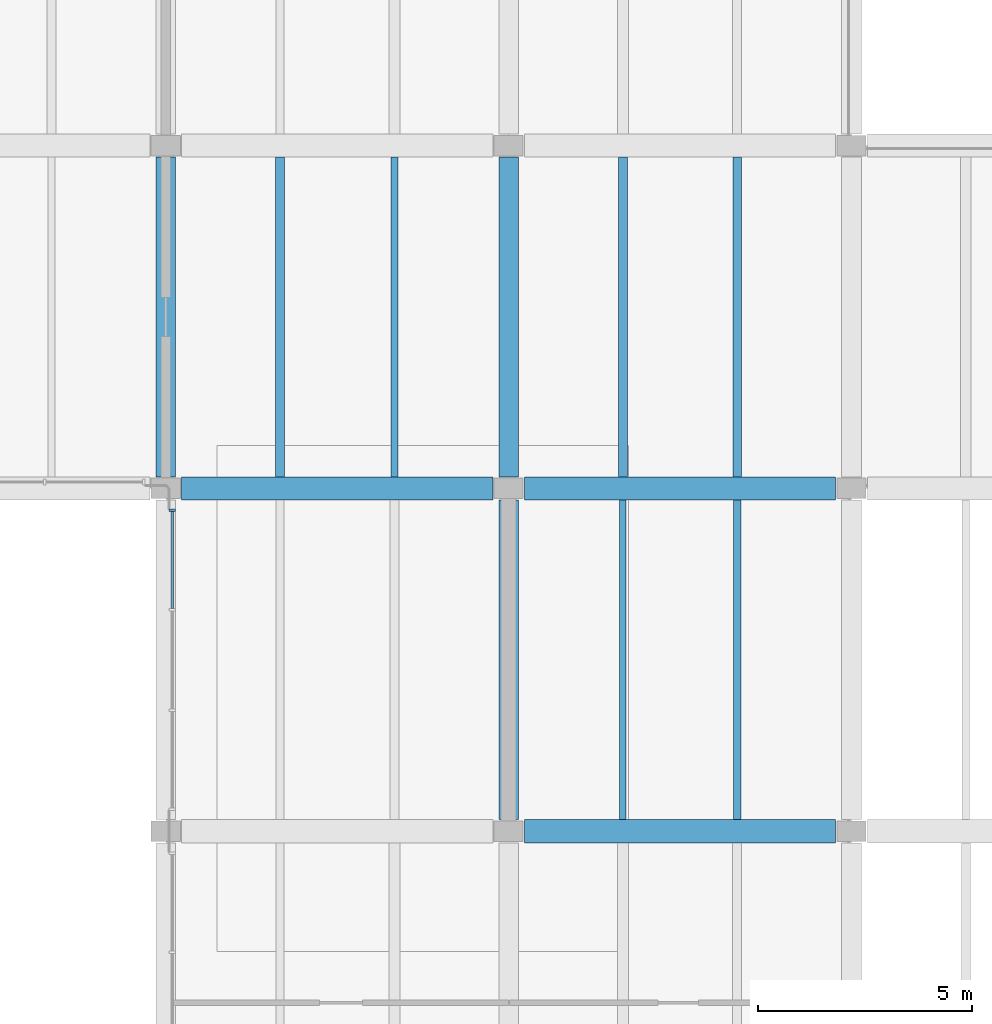
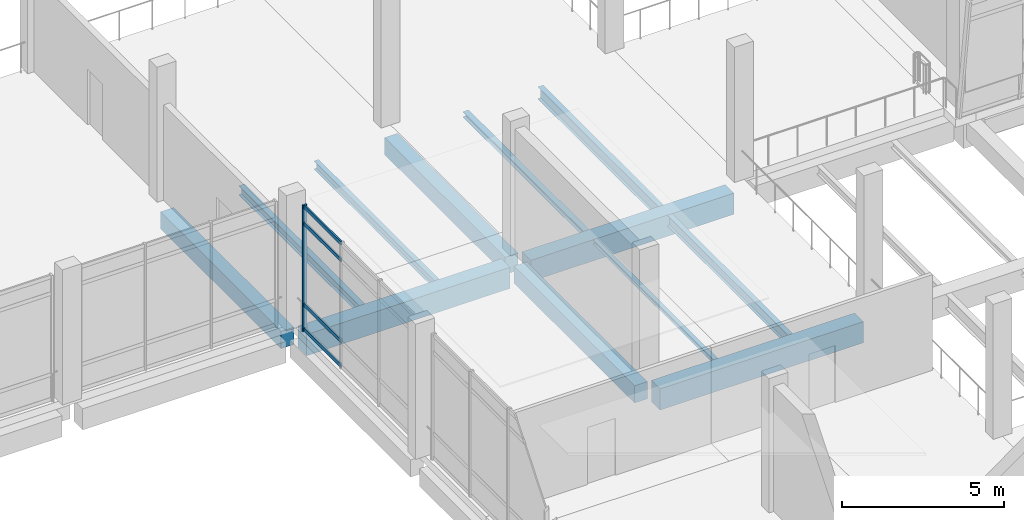
# One storey, part 11 of 61: 12 beams, 5 members, 1 element without a shape of its own.
"""IFC4 building model written with IfcOpenShell, lengths in metres."""

import ifcopenshell
import ifcopenshell.guid

model = None  # the IFC model being written
_history = None  # IfcOwnerHistory: only IFC2X3 demands one
_inside = {}  # id of a spatial element -> (the spatial element, [elements in it])
_under = {}  # id of a project, library or spatial element -> (it, [spatial elements below it])
_declared = {}  # id of a project -> (the project, [libraries it declares])
_typed = {}  # id of a type object -> (the type object, [elements of that type])
_made_of = {}  # id of a material, layer set ... -> (it, [elements and type objects made of it])


def new_model(schema):
    """Start an empty IFC model of exactly this schema.

    Asked for "IFC4X3", IfcOpenShell would pick the latest addendum, in which some entities
    have other attributes; the version numbers below select the first issue.
    IFC2X3 requires an IfcOwnerHistory on every rooted entity: one is made here for all.
    """
    global model, _history
    if schema == "IFC4X3":
        model = ifcopenshell.file(schema_version=(4, 3, 0, 0))
    else:
        model = ifcopenshell.file(schema=schema)
    _inside.clear()
    _under.clear()
    _declared.clear()
    _typed.clear()
    _made_of.clear()
    _history = None
    if model.schema == "IFC2X3":
        org = make("IfcOrganization", Name="unknown")
        user = make(
            "IfcPersonAndOrganization",
            ThePerson=make("IfcPerson", FamilyName="unknown"),
            TheOrganization=org,
        )
        app = make(
            "IfcApplication",
            ApplicationDeveloper=org,
            Version="unknown",
            ApplicationFullName="unknown",
            ApplicationIdentifier="unknown",
        )
        _history = make(
            "IfcOwnerHistory",
            OwningUser=user,
            OwningApplication=app,
            ChangeAction="ADDED",
            CreationDate=0,
        )
    return model


def make(cls, **values):
    """One entity of the class cls with the attributes given. An attribute that is None is left unset."""
    return model.create_entity(
        cls, **{name: value for name, value in values.items() if value is not None}
    )


def rooted(cls, **values):
    """An entity with a GlobalId (a new one), such as an element, a storey or a relation."""
    return make(cls, GlobalId=ifcopenshell.guid.new(), OwnerHistory=_history, **values)


def si_unit(unit_type, name, prefix=None):
    """IfcSIUnit, for example si_unit("LENGTHUNIT", "METRE", prefix="MILLI")."""
    return make("IfcSIUnit", UnitType=unit_type, Prefix=prefix, Name=name)


def assignment(units):
    """IfcUnitAssignment: the units of a project."""
    return None if units is None else make("IfcUnitAssignment", Units=units)


def point(xyz):
    """IfcCartesianPoint."""
    return None if xyz is None else make("IfcCartesianPoint", Coordinates=xyz)


def direction(xyz):
    """IfcDirection."""
    return None if xyz is None else make("IfcDirection", DirectionRatios=xyz)


def frame(location, z_axis=None, x_axis=None):
    """IfcAxis2Placement3D, a coordinate frame: its origin and axes. An axis left out is left unset."""
    return make(
        "IfcAxis2Placement3D",
        Location=point(location),
        Axis=direction(z_axis),
        RefDirection=direction(x_axis),
    )


def frame_2d(location, x_axis=None):
    """IfcAxis2Placement2D, a coordinate frame in the plane: its origin and x axis."""
    return make(
        "IfcAxis2Placement2D", Location=point(location), RefDirection=direction(x_axis)
    )


def origin():
    """The frame at (0, 0, 0) with its axes left unset."""
    return frame((0.0, 0.0, 0.0))


def origin_2d():
    """The frame at (0, 0) in the plane with its x axis left unset."""
    return frame_2d((0.0, 0.0))


def place(relative_to, where):
    """IfcLocalPlacement: puts the frame where relative to a parent placement (None: the world)."""
    return make(
        "IfcLocalPlacement", PlacementRelTo=relative_to, RelativePlacement=where
    )


def context(
    kind, dimensions, precision=None, world=None, true_north=None, identifier=None
):
    """IfcGeometricRepresentationContext, for example the 3D "Model" context."""
    return make(
        "IfcGeometricRepresentationContext",
        ContextIdentifier=identifier,
        ContextType=kind,
        CoordinateSpaceDimension=dimensions,
        Precision=precision,
        WorldCoordinateSystem=world,
        TrueNorth=true_north,
    )


def subcontext(parent, identifier, kind, view, scale=None):
    """IfcGeometricRepresentationSubContext, for example "Body" below "Model"."""
    return make(
        "IfcGeometricRepresentationSubContext",
        ContextIdentifier=identifier,
        ContextType=kind,
        ParentContext=parent,
        TargetScale=scale,
        TargetView=view,
    )


def project(units=None, contexts=None):
    """IfcProject with its units and contexts."""
    return rooted(
        "IfcProject",
        Name="project",
        RepresentationContexts=contexts,
        UnitsInContext=assignment(units),
    )


def spatial(cls, under=None, at=None, **own):
    """A site, building, storey or space (cls), placed at a placement, below another one or the project."""
    s = rooted(cls, ObjectPlacement=at, **own)
    if under is not None:
        _under.setdefault(under.id(), (under, []))[1].append(s)
    return s


def profile(cls, at=None, kind="AREA", **sizes):
    """A parametric profile (cls). Its sizes go by their IFC names, for example OverallWidth=200.0."""
    return make(cls, ProfileType=kind, Position=at, **sizes)


def rectangle(**sizes):
    """IfcRectangleProfileDef."""
    return profile("IfcRectangleProfileDef", **sizes)


def i_section(**sizes):
    """IfcIShapeProfileDef."""
    return profile("IfcIShapeProfileDef", **sizes)


def extrude(swept, where, along, depth):
    """IfcExtrudedAreaSolid: the profile swept, set in the frame where, extruded along a direction by depth."""
    return make(
        "IfcExtrudedAreaSolid",
        SweptArea=swept,
        Position=where,
        ExtrudedDirection=direction(along),
        Depth=depth,
    )


def shape(context_of_items, identifier, shape_type, items):
    """IfcShapeRepresentation: the items that make up one representation, for example the "Body"."""
    return make(
        "IfcShapeRepresentation",
        ContextOfItems=context_of_items,
        RepresentationIdentifier=identifier,
        RepresentationType=shape_type,
        Items=items,
    )


def material(Name=None, Category=None):
    """IfcMaterial."""
    return make("IfcMaterial", Name=Name, Category=Category)


def material_profile(
    of_material, cross_section, Name=None, Category=None, Priority=None
):
    """IfcMaterialProfile: a cross section and its material."""
    return make(
        "IfcMaterialProfile",
        Name=Name,
        Material=of_material,
        Profile=cross_section,
        Priority=Priority,
        Category=Category,
    )


def profile_set(profiles, Name=None, composite=None):
    """IfcMaterialProfileSet."""
    return make(
        "IfcMaterialProfileSet",
        Name=Name,
        MaterialProfiles=profiles,
        CompositeProfile=composite,
    )


def made_of(thing, what):
    """Note that an element or type object is made of a material, layer set ...; save() writes the relation."""
    if what is not None:
        _made_of.setdefault(what.id(), (what, []))[1].append(thing)
    return thing


def type_object(cls, material=None, **own):
    """A type object (cls), such as IfcWallType, which elements share."""
    return made_of(rooted(cls, **own), material)


def element(
    cls,
    number,
    at=None,
    inside=None,
    cuts=None,
    type_object=None,
    material=None,
    context=None,
    identifier="Body",
    shape_type=None,
    held_by="IfcProductDefinitionShape",
    body=None,
    shapes=None,
    **own,
):
    """One element of the class cls, such as IfcWall. Its Tag is "e" and its number.

    at: its placement. inside: the storey or other place that contains it. cuts: it is an
    opening in that element (IfcRelVoidsElement). A single representation is given by context,
    identifier, shape_type and body (its items); several are given by shapes. held_by: the class
    of the entity that holds the representations. save() writes the other relations.
    """
    e = rooted(cls, Tag="e%d" % number, ObjectPlacement=at, **own)
    if body is not None:
        shapes = [shape(context, identifier, shape_type, body)]
    if shapes is not None:
        e.Representation = make(held_by, Representations=shapes)
    if inside is not None:
        _inside.setdefault(inside.id(), (inside, []))[1].append(e)
    if cuts is not None:
        rooted(
            "IfcRelVoidsElement", RelatingBuildingElement=cuts, RelatedOpeningElement=e
        )
    if type_object is not None:
        _typed.setdefault(type_object.id(), (type_object, []))[1].append(e)
    return made_of(e, material)


def aggregate(whole, parts):
    """IfcRelAggregates: a whole, such as a stair, and the parts it consists of."""
    return rooted("IfcRelAggregates", RelatingObject=whole, RelatedObjects=parts)


def save(model, path):
    """Write the relations noted so far, then the file.

    IfcRelAggregates (storeys below a building ...), IfcRelContainedInSpatialStructure (elements
    in a storey), IfcRelDefinesByType, IfcRelAssociatesMaterial and IfcRelDeclares: one each for
    every whole, place, type object, material and project.
    """
    for whole, parts in _under.values():
        aggregate(whole, parts)
    for where, things in _inside.values():
        rooted(
            "IfcRelContainedInSpatialStructure",
            RelatedElements=things,
            RelatingStructure=where,
        )
    for kind, things in _typed.values():
        rooted("IfcRelDefinesByType", RelatedObjects=things, RelatingType=kind)
    for what, things in _made_of.values():
        rooted("IfcRelAssociatesMaterial", RelatedObjects=things, RelatingMaterial=what)
    for by, libraries in _declared.values():
        rooted("IfcRelDeclares", RelatingContext=by, RelatedDefinitions=libraries)
    model.write(path)


model = new_model("IFC4")

# Units and contexts
model_context = context("Model", 3, precision=1e-05, world=origin(), true_north=direction((0.0, 1.0)))
body_context = subcontext(model_context, "Body", "Model", "MODEL_VIEW")
ifc_project = project(units=[si_unit("LENGTHUNIT", "METRE"), si_unit("AREAUNIT", "SQUARE_METRE"), si_unit("VOLUMEUNIT", "CUBIC_METRE"), si_unit("PLANEANGLEUNIT", "RADIAN"), si_unit("MASSUNIT", "GRAM", prefix="KILO")], contexts=[model_context])

# Site, building, storey
site_placement = place(None, origin())
site = spatial("IfcSite", under=ifc_project, at=site_placement, CompositionType="ELEMENT")
building_placement = place(site_placement, origin())
building = spatial("IfcBuilding", under=site, at=building_placement, Name="Pecanmere Concourse Central Library", CompositionType="ELEMENT")
storey_placement = place(building_placement, frame((0.0, 0.0, 5.39990234375)))
storey = spatial("IfcBuildingStorey", under=building, at=storey_placement, Name="L02", CompositionType="ELEMENT", Elevation=5.39990234375)

# Curtain wall, members
ifc_material_1 = material(Name="Clear anodized aluminium alloy 6063-T6", Category="aluminium")
curtain_wall_type = type_object("IfcCurtainWallType", Name="CW_CLOISTER_GLAZ", PredefinedType="USERDEFINED", material=ifc_material_1)
curtain_wall_placement = place(storey_placement, origin())
curtain_wall = element("IfcCurtainWall", 1, at=curtain_wall_placement, inside=storey, type_object=curtain_wall_type, Name="Unitised Curtain Wall CW-04 L02-120", ObjectType="UNITISED CURTAIN WALL", PredefinedType="USERDEFINED")
ifc_material_2 = material(Name="Clear anodized aluminium alloy 6063-T6", Category="aluminium")
ifc_material_profile_1 = material_profile(ifc_material_2, rectangle(XDim=0.06005859375, YDim=0.14990234375, at=origin_2d()), Name="AL 60x150")
ifc_profile_set_1 = profile_set([ifc_material_profile_1], Name="Clear anodized aluminium alloy 6063-T6")
member_type_1 = type_object("IfcMemberType", Name="CWM_150x60", PredefinedType="MULLION", material=ifc_profile_set_1)
member_1_placement = place(storey_placement, frame((48.14990234375, 89.489990234375, 0.0), z_axis=(0.0, 0.0, 1.0), x_axis=(0.0, -1.0, 0.0)))
member_1 = element("IfcMember", 2, at=member_1_placement, type_object=member_type_1, Name="CW-04 Mullion 1", PredefinedType="MULLION", context=body_context, shape_type="SweptSolid", body=[
    extrude(rectangle(XDim=0.06005859375, YDim=0.14990234375, at=origin_2d()), origin(), (0.0, 0.0, 1.0), 4.760009765625),
])
ifc_material_3 = material(Name="Clear anodized aluminium alloy 6063-T6", Category="aluminium")
ifc_material_profile_2 = material_profile(ifc_material_3, rectangle(XDim=0.054931640625, YDim=0.139892578125, at=origin_2d()), Name="AL 55x140")
ifc_profile_set_2 = profile_set([ifc_material_profile_2], Name="Clear anodized aluminium alloy 6063-T6")
member_type_2 = type_object("IfcMemberType", Name="CWT_140x55", PredefinedType="USERDEFINED", material=ifc_profile_set_2)
member_2_placement = place(storey_placement, frame((48.14990234375, 89.4599609375, 0.070068359375), z_axis=(0.0, -1.0, 0.0), x_axis=(1.0, 0.0, 0.0)))
member_2 = element("IfcMember", 3, at=member_2_placement, type_object=member_type_2, Name="CW-04 Transom 1.1", ObjectType="TRANSOM", PredefinedType="USERDEFINED", context=body_context, shape_type="SweptSolid", body=[
    extrude(rectangle(XDim=0.054931640625, YDim=0.139892578125, at=origin_2d()), origin(), (0.0, 0.0, 1.0), 2.256591796875),
])
member_3_placement = place(storey_placement, frame((48.14990234375, 89.4599609375, 1.0), z_axis=(0.0, -1.0, 0.0), x_axis=(1.0, 0.0, 0.0)))
member_3 = element("IfcMember", 4, at=member_3_placement, type_object=member_type_2, Name="CW-04 Transom 1.2", ObjectType="TRANSOM", PredefinedType="USERDEFINED", context=body_context, shape_type="SweptSolid", body=[
    extrude(rectangle(XDim=0.054931640625, YDim=0.139892578125, at=origin_2d()), origin(), (0.0, 0.0, 1.0), 2.256591796875),
])
member_4_placement = place(storey_placement, frame((48.14990234375, 89.4599609375, 4.06005859375), z_axis=(0.0, -1.0, 0.0), x_axis=(1.0, 0.0, 0.0)))
member_4 = element("IfcMember", 5, at=member_4_placement, type_object=member_type_2, Name="CW-04 Transom 1.3", ObjectType="TRANSOM", PredefinedType="USERDEFINED", context=body_context, shape_type="SweptSolid", body=[
    extrude(rectangle(XDim=0.054931640625, YDim=0.139892578125, at=origin_2d()), origin(), (0.0, 0.0, 1.0), 2.256591796875),
])
member_5_placement = place(storey_placement, frame((48.14990234375, 89.4599609375, 4.690185546875), z_axis=(0.0, -1.0, 0.0), x_axis=(1.0, 0.0, 0.0)))
member_5 = element("IfcMember", 6, at=member_5_placement, type_object=member_type_2, Name="CW-04 Transom 1.4", ObjectType="TRANSOM", PredefinedType="USERDEFINED", context=body_context, shape_type="SweptSolid", body=[
    extrude(rectangle(XDim=0.054931640625, YDim=0.139892578125, at=origin_2d()), origin(), (0.0, 0.0, 1.0), 2.256591796875),
])
aggregate(curtain_wall, [member_1, member_2, member_3, member_4, member_5])

# Beams
ifc_material_4 = material(Name="Concrete C40/50", Category="concrete")
ifc_material_profile_3 = material_profile(ifc_material_4, rectangle(XDim=0.4599609375, YDim=0.64990234375, at=origin_2d()), Name="RC 460x650")
ifc_profile_set_3 = profile_set([ifc_material_profile_3], Name="Concrete C40/50")
beam_type_1 = type_object("IfcBeamType", Name="GRD_460x650", PredefinedType="USERDEFINED", material=ifc_profile_set_3)
for number, where, z_axis, x_axis, name in (
    (7, (48.0, 90.27001953125, -0.69482421875), (0.0, 1.0, 0.0), (-1.0, 0.0, 0.0), "Primary Girder Y L02-1009"),
    (8, (56.0, 82.27001953125, -0.69482421875), (0.0, 1.0, 0.0), (-1.0, 0.0, 0.0), "Primary Girder Y L02-1018"),
    (9, (56.0, 90.27001953125, -0.69482421875), (0.0, 1.0, 0.0), (-1.0, 0.0, 0.0), "Primary Girder Y L02-1019"),
):
    element("IfcBeam", number, at=place(storey_placement, frame(where, z_axis=z_axis, x_axis=x_axis)), inside=storey, type_object=beam_type_1, Name=name, ObjectType="GIRDER", PredefinedType="USERDEFINED", context=body_context, shape_type="SweptSolid", body=[
        extrude(rectangle(XDim=0.4599609375, YDim=0.64990234375, at=origin_2d()), origin(), (0.0, 0.0, 1.0), 7.4599609375),
    ])
ifc_material_5 = material(Name="Concrete C40/50", Category="concrete")
ifc_material_profile_4 = material_profile(ifc_material_5, rectangle(XDim=0.5400390625, YDim=0.800048828125, at=origin_2d()), Name="RC 540x800")
ifc_profile_set_4 = profile_set([ifc_material_profile_4], Name="Concrete C40/50")
beam_type_2 = type_object("IfcBeamType", Name="GRD_540x800", PredefinedType="USERDEFINED", material=ifc_profile_set_4)
for number, where, z_axis, x_axis, name in (
    (10, (56.3701171875, 82.0, -0.77001953125), (1.0, 0.0, 0.0), (0.0, 1.0, 0.0), "Primary Girder X L02-0899"),
    (11, (48.3701171875, 90.0, -0.77001953125), (1.0, 0.0, 0.0), (0.0, 1.0, 0.0), "Primary Girder X L02-0912"),
    (12, (56.3701171875, 90.0, -0.77001953125), (1.0, 0.0, 0.0), (0.0, 1.0, 0.0), "Primary Girder X L02-0913"),
):
    element("IfcBeam", number, at=place(storey_placement, frame(where, z_axis=z_axis, x_axis=x_axis)), inside=storey, type_object=beam_type_2, Name=name, ObjectType="GIRDER", PredefinedType="USERDEFINED", context=body_context, shape_type="SweptSolid", body=[
        extrude(rectangle(XDim=0.5400390625, YDim=0.800048828125, at=origin_2d()), origin(), (0.0, 0.0, 1.0), 7.259765625),
    ])
ifc_material_6 = material(Name="Structural steel ASTM A992 Grade 50", Category="steel")
ifc_material_profile_5 = material_profile(ifc_material_6, i_section(OverallWidth=0.152099609375, OverallDepth=0.152099609375, WebThickness=0.005859375, FlangeThickness=0.006591796875, at=origin_2d()), Name="W150x22.5")
ifc_profile_set_5 = profile_set([ifc_material_profile_5], Name="Structural steel ASTM A992 Grade 50")
beam_type_3 = type_object("IfcBeamType", Name="SBM_W150x22", PredefinedType="LINTEL", material=ifc_profile_set_5)
beam_1_placement = place(storey_placement, frame((58.666748046875, 82.27001953125, -0.44580078125), z_axis=(0.0, 1.0, 0.0), x_axis=(-1.0, 0.0, 0.0)))
element("IfcBeam", 13, at=beam_1_placement, inside=storey, type_object=beam_type_3, Name="Secondary Floor Joist L02-1255", PredefinedType="LINTEL", context=body_context, shape_type="SweptSolid", body=[
    extrude(i_section(OverallWidth=0.152099609375, OverallDepth=0.152099609375, WebThickness=0.005859375, FlangeThickness=0.006591796875, at=origin_2d()), origin(), (0.0, 0.0, 1.0), 7.4599609375),
])
ifc_material_7 = material(Name="Structural steel ASTM A992 Grade 50", Category="steel")
ifc_material_profile_6 = material_profile(ifc_material_7, i_section(OverallWidth=0.2041015625, OverallDepth=0.2060546875, WebThickness=0.0078125, FlangeThickness=0.0126953125, at=origin_2d()), Name="W200x52")
ifc_profile_set_6 = profile_set([ifc_material_profile_6], Name="Structural steel ASTM A992 Grade 50")
beam_type_4 = type_object("IfcBeamType", Name="SBM_W200x52", PredefinedType="JOIST", material=ifc_profile_set_6)
beam_2_placement = place(storey_placement, frame((58.666748046875, 90.27001953125, -0.472900390625), z_axis=(0.0, 1.0, 0.0), x_axis=(-1.0, 0.0, 0.0)))
element("IfcBeam", 14, at=beam_2_placement, inside=storey, type_object=beam_type_4, Name="Secondary Floor Joist L02-1257", PredefinedType="JOIST", context=body_context, shape_type="SweptSolid", body=[
    extrude(i_section(OverallWidth=0.2041015625, OverallDepth=0.2060546875, WebThickness=0.0078125, FlangeThickness=0.0126953125, at=origin_2d()), origin(), (0.0, 0.0, 1.0), 7.4599609375),
])
ifc_material_8 = material(Name="Structural steel ASTM A992 Grade 50", Category="steel")
ifc_material_profile_7 = material_profile(ifc_material_8, i_section(OverallWidth=0.1669921875, OverallDepth=0.31689453125, WebThickness=0.007568359375, FlangeThickness=0.01318359375, at=origin_2d()), Name="W310x52")
ifc_profile_set_7 = profile_set([ifc_material_profile_7], Name="Structural steel ASTM A992 Grade 50")
beam_type_5 = type_object("IfcBeamType", Name="SBM_W310x52", PredefinedType="JOIST", material=ifc_profile_set_7)
beam_3_placement = place(storey_placement, frame((53.333251953125, 90.27001953125, -0.5283203125), z_axis=(0.0, 1.0, 0.0), x_axis=(-1.0, 0.0, 0.0)))
element("IfcBeam", 15, at=beam_3_placement, inside=storey, type_object=beam_type_5, Name="Secondary Floor Joist L02-1240", PredefinedType="JOIST", context=body_context, shape_type="SweptSolid", body=[
    extrude(i_section(OverallWidth=0.1669921875, OverallDepth=0.31689453125, WebThickness=0.007568359375, FlangeThickness=0.01318359375, at=origin_2d()), origin(), (0.0, 0.0, 1.0), 7.4599609375),
])
ifc_material_9 = material(Name="Structural steel ASTM A992 Grade 50", Category="steel")
ifc_material_profile_8 = material_profile(ifc_material_9, i_section(OverallWidth=0.202880859375, OverallDepth=0.346923828125, WebThickness=0.0078125, FlangeThickness=0.013427734375, at=origin_2d()), Name="W360x64")
ifc_profile_set_8 = profile_set([ifc_material_profile_8], Name="Structural steel ASTM A992 Grade 50")
beam_type_6 = type_object("IfcBeamType", Name="SBM_W360x64", PredefinedType="JOIST", material=ifc_profile_set_8)
beam_4_placement = place(storey_placement, frame((50.666748046875, 90.27001953125, -0.54345703125), z_axis=(0.0, 1.0, 0.0), x_axis=(-1.0, 0.0, 0.0)))
element("IfcBeam", 16, at=beam_4_placement, inside=storey, type_object=beam_type_6, Name="Secondary Floor Joist L02-1239", PredefinedType="JOIST", context=body_context, shape_type="SweptSolid", body=[
    extrude(i_section(OverallWidth=0.202880859375, OverallDepth=0.346923828125, WebThickness=0.0078125, FlangeThickness=0.013427734375, at=origin_2d()), origin(), (0.0, 0.0, 1.0), 7.4599609375),
])
ifc_material_10 = material(Name="Structural steel ASTM A992 Grade 50", Category="steel")
ifc_material_profile_9 = material_profile(ifc_material_10, i_section(OverallWidth=0.177978515625, OverallDepth=0.406982421875, WebThickness=0.0078125, FlangeThickness=0.0126953125, at=origin_2d()), Name="W410x60")
ifc_profile_set_9 = profile_set([ifc_material_profile_9], Name="Structural steel ASTM A992 Grade 50")
beam_type_7 = type_object("IfcBeamType", Name="SBM_W410x60", PredefinedType="JOIST", material=ifc_profile_set_9)
beam_5_placement = place(storey_placement, frame((61.333251953125, 82.27001953125, -0.573486328125), z_axis=(0.0, 1.0, 0.0), x_axis=(-1.0, 0.0, 0.0)))
element("IfcBeam", 17, at=beam_5_placement, inside=storey, type_object=beam_type_7, Name="Secondary Floor Joist L02-1256", PredefinedType="JOIST", context=body_context, shape_type="SweptSolid", body=[
    extrude(i_section(OverallWidth=0.177978515625, OverallDepth=0.406982421875, WebThickness=0.0078125, FlangeThickness=0.0126953125, at=origin_2d()), origin(), (0.0, 0.0, 1.0), 7.4599609375),
])
ifc_material_11 = material(Name="Structural steel ASTM A992 Grade 50", Category="steel")
ifc_material_profile_10 = material_profile(ifc_material_11, i_section(OverallWidth=0.18994140625, OverallDepth=0.45703125, WebThickness=0.009033203125, FlangeThickness=0.014404296875, at=origin_2d()), Name="W460x74")
ifc_profile_set_10 = profile_set([ifc_material_profile_10], Name="Structural steel ASTM A992 Grade 50")
beam_type_8 = type_object("IfcBeamType", Name="SBM_W460x74", PredefinedType="BEAM", material=ifc_profile_set_10)
beam_6_placement = place(storey_placement, frame((61.333251953125, 90.27001953125, -0.598388671875), z_axis=(0.0, 1.0, 0.0), x_axis=(-1.0, 0.0, 0.0)))
element("IfcBeam", 18, at=beam_6_placement, inside=storey, type_object=beam_type_8, Name="Secondary Floor Joist L02-1258", PredefinedType="BEAM", context=body_context, shape_type="SweptSolid", body=[
    extrude(i_section(OverallWidth=0.18994140625, OverallDepth=0.45703125, WebThickness=0.009033203125, FlangeThickness=0.014404296875, at=origin_2d()), origin(), (0.0, 0.0, 1.0), 7.4599609375),
])

save(model, "model.ifc")
